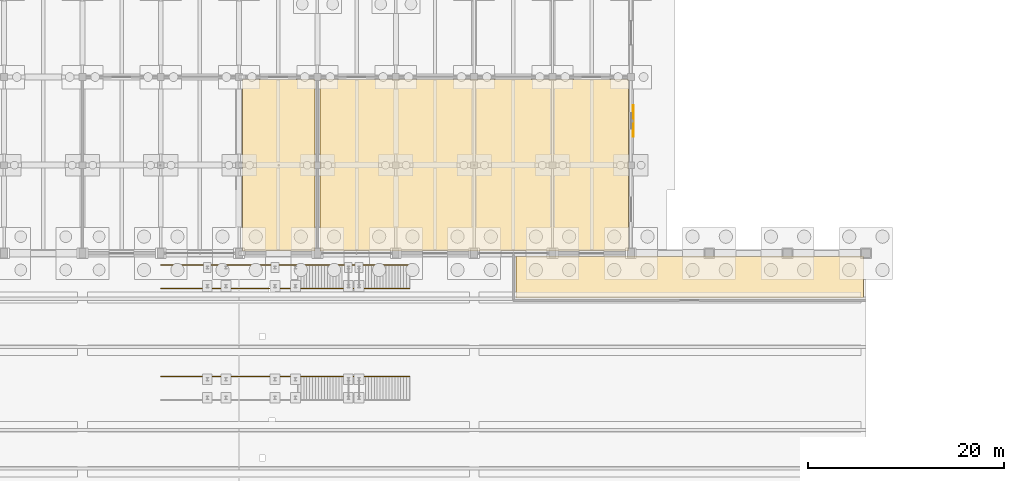
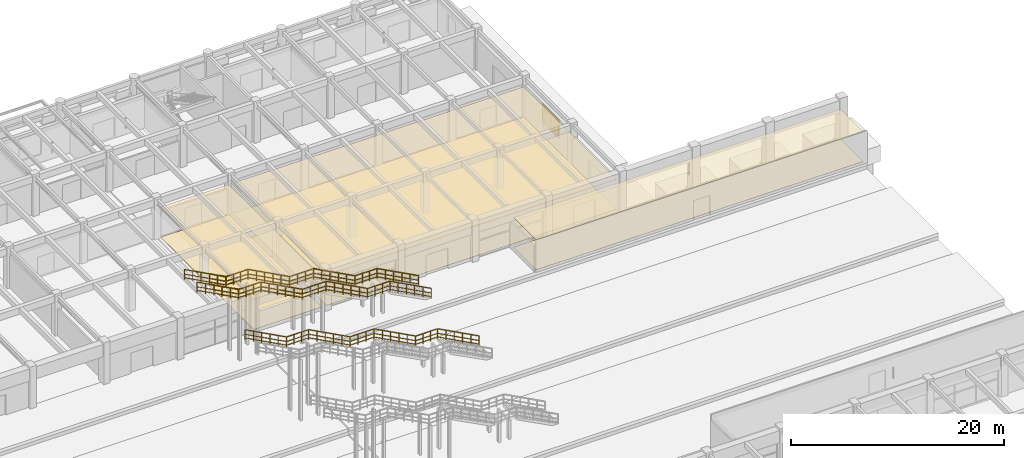
# One storey, part 144 of 147: 6 coverings, 3 railings, 1 shading device.
"""IFC4 building model written with IfcOpenShell, lengths in metres."""

from ifc_helpers import new_model, si_unit, direction, frame, origin, origin_2d, place, context, subcontext, project, spatial, polyline, rectangle, circle, outline, extrude, material, layer, layer_set, type_object, element, save


model = new_model("IFC4")

# Units and contexts
model_context = context("Model", 3, precision=1e-05, world=origin(), true_north=direction((0.0, 1.0)))
body_context = subcontext(model_context, "Body", "Model", "MODEL_VIEW")
ifc_project = project(units=[si_unit("LENGTHUNIT", "METRE"), si_unit("AREAUNIT", "SQUARE_METRE"), si_unit("VOLUMEUNIT", "CUBIC_METRE"), si_unit("PLANEANGLEUNIT", "RADIAN"), si_unit("MASSUNIT", "GRAM", prefix="KILO")], contexts=[model_context])

# Site, building, storey
site_placement = place(None, origin())
site = spatial("IfcSite", under=ifc_project, at=site_placement, CompositionType="ELEMENT")
building_placement = place(site_placement, origin())
building = spatial("IfcBuilding", under=site, at=building_placement, Name="Varnabhumi Central Station", CompositionType="ELEMENT")
storey_placement = place(building_placement, origin())
storey = spatial("IfcBuildingStorey", under=building, at=storey_placement, Name="L00", CompositionType="ELEMENT", Elevation=0.0)

# Coverings
ifc_material_1 = material(Name="Mineral-fibre acoustic tile")
ifc_layer_1 = layer(ifc_material_1, 0.02490234375, Name="Mineral-fibre acoustic tile")
ifc_layer_set_1 = layer_set([ifc_layer_1], Name="Mineral-fibre acoustic tile")
covering_type_1 = type_object("IfcCoveringType", Name="COV-CEIL-ACOUSTIC", PredefinedType="CEILING", material=ifc_layer_set_1)
covering_1_placement = place(storey_placement, frame((0.0, 0.0, 3.469970703125)))
element("IfcCovering", 1, at=covering_1_placement, inside=storey, type_object=covering_type_1, Name="Forecourt Espresso and Snack Bar Acoustic Ceiling", PredefinedType="CEILING", context=body_context, shape_type="SweptSolid", body=[
    extrude(outline(polyline([(120.35009765625, 80.25), (127.75, 80.25), (127.75, 97.75), (120.35009765625, 97.75), (120.35009765625, 80.25)])), origin(), (0.0, 0.0, 1.0), 0.025146484375),
])
covering_2_placement = place(storey_placement, frame((0.0, 0.0, 3.469970703125)))
element("IfcCovering", 2, at=covering_2_placement, inside=storey, type_object=covering_type_1, Name="Passenger Information and Community Desk Acoustic Ceiling", PredefinedType="CEILING", context=body_context, shape_type="SweptSolid", body=[
    extrude(outline(polyline([(128.25, 80.25), (159.75, 80.25), (159.75, 97.75), (128.25, 97.75), (128.25, 80.25)])), origin(), (0.0, 0.0, 1.0), 0.025146484375),
])
covering_3_placement = place(storey_placement, frame((0.0, 0.0, 3.419921875)))
element("IfcCovering", 3, at=covering_3_placement, inside=storey, type_object=covering_type_1, Name="Platform 4 Seated Waiting Shelter Acoustic Ceiling", PredefinedType="CEILING", context=body_context, shape_type="SweptSolid", body=[
    extrude(outline(polyline([(148.25, 75.449951171875), (183.75, 75.449951171875), (183.75, 79.75), (148.25, 79.75), (148.25, 75.449951171875)])), origin(), (0.0, 0.0, 1.0), 0.025146484375),
])
ifc_material_2 = material(Name="Vitrified granite stone flooring", Category="masonry")
ifc_layer_2 = layer(ifc_material_2, 0.030029296875, Name="Vitrified granite stone flooring", Category="masonry")
ifc_layer_set_2 = layer_set([ifc_layer_2], Name="Vitrified granite stone flooring")
covering_type_2 = type_object("IfcCoveringType", Name="COV-FLOR-GRANITE", PredefinedType="FLOORING", material=ifc_layer_set_2)
covering_4_placement = place(storey_placement, origin())
element("IfcCovering", 4, at=covering_4_placement, inside=storey, type_object=covering_type_2, Name="Forecourt Espresso and Snack Bar Granite Flooring", PredefinedType="FLOORING", context=body_context, shape_type="SweptSolid", body=[
    extrude(outline(polyline([(120.35009765625, 80.25), (127.75, 80.25), (127.75, 97.75), (120.35009765625, 97.75), (120.35009765625, 80.25)])), origin(), (0.0, 0.0, 1.0), 0.030029296875),
])
covering_5_placement = place(storey_placement, origin())
element("IfcCovering", 5, at=covering_5_placement, inside=storey, type_object=covering_type_2, Name="Passenger Information and Community Desk Granite Flooring", PredefinedType="FLOORING", context=body_context, shape_type="SweptSolid", body=[
    extrude(outline(polyline([(128.25, 80.25), (159.75, 80.25), (159.75, 97.75), (128.25, 97.75), (128.25, 80.25)])), origin(), (0.0, 0.0, 1.0), 0.030029296875),
])
covering_6_placement = place(storey_placement, origin())
element("IfcCovering", 6, at=covering_6_placement, inside=storey, type_object=covering_type_2, Name="Platform 4 Seated Waiting Shelter Granite Flooring", PredefinedType="FLOORING", context=body_context, shape_type="SweptSolid", body=[
    extrude(outline(polyline([(148.25, 75.449951171875), (183.75, 75.449951171875), (183.75, 79.75), (148.25, 79.75), (148.25, 75.449951171875)])), origin(), (0.0, 0.0, 1.0), 0.030029296875),
])

# Railings
ifc_material_3 = material(Name="Stainless steel Grade 316", Category="steel")
railing_type = type_object("IfcRailingType", Name="RAIL-STAIR-GRD-1150", PredefinedType="GUARDRAIL", material=ifc_material_3)
railing_1_placement = place(storey_placement, frame((137.39990234375, 67.39990234375, 0.0)))
element("IfcRailing", 7, at=railing_1_placement, inside=storey, type_object=railing_type, Name="Platform 3 Concourse Stair Guard N", PredefinedType="GUARDRAIL", context=body_context, shape_type="SweptSolid", body=[
    extrude(circle(Radius=0.02392578125, at=origin_2d()), frame((0.0, 0.0, 1.1259765625), z_axis=(-0.882360891967, 0.0, 0.470573327259), x_axis=(0.0, -1.0, 0.0)), (0.0, 0.0, 1.0), 5.099853515625),
    extrude(circle(Radius=0.01416015625, at=origin_2d()), frame((0.0, 0.0, 0.597900390625), z_axis=(-0.882360891967, 0.0, 0.470573327259), x_axis=(0.0, -1.0, 0.0)), (0.0, 0.0, 1.0), 5.099853515625),
    extrude(circle(Radius=0.01416015625, at=origin_2d()), frame((0.0, 0.0, 0.18408203125), z_axis=(-0.882360891967, 0.0, 0.470573327259), x_axis=(0.0, -1.0, 0.0)), (0.0, 0.0, 1.0), 5.099853515625),
    extrude(circle(Radius=0.02392578125, at=origin_2d()), frame((-4.5, 0.0, 3.52587890625), z_axis=(-1.0, 0.0, 0.0), x_axis=(0.0, -1.0, 0.0)), (0.0, 0.0, 1.0), 2.39990234375),
    extrude(circle(Radius=0.01416015625, at=origin_2d()), frame((-4.5, 0.0, 2.997802734375), z_axis=(-1.0, 0.0, 0.0), x_axis=(0.0, -1.0, 0.0)), (0.0, 0.0, 1.0), 2.39990234375),
    extrude(circle(Radius=0.01416015625, at=origin_2d()), frame((-4.5, 0.0, 2.583984375), z_axis=(-1.0, 0.0, 0.0), x_axis=(0.0, -1.0, 0.0)), (0.0, 0.0, 1.0), 2.39990234375),
    extrude(circle(Radius=0.02392578125, at=origin_2d()), frame((-6.89990234375, 0.0, 3.52587890625), z_axis=(-0.882341014787, 0.0, 0.470610596591), x_axis=(0.0, -1.0, 0.0)), (0.0, 0.0, 1.0), 5.10009765625),
    extrude(circle(Radius=0.01416015625, at=origin_2d()), frame((-6.89990234375, 0.0, 2.997802734375), z_axis=(-0.882341014787, 0.0, 0.470610596591), x_axis=(0.0, -1.0, 0.0)), (0.0, 0.0, 1.0), 5.10009765625),
    extrude(circle(Radius=0.01416015625, at=origin_2d()), frame((-6.89990234375, 0.0, 2.583984375), z_axis=(-0.882341014787, 0.0, 0.470610596591), x_axis=(0.0, -1.0, 0.0)), (0.0, 0.0, 1.0), 5.10009765625),
    extrude(circle(Radius=0.02392578125, at=origin_2d()), frame((-11.39990234375, 0.0, 5.92578125), z_axis=(-1.0, 0.0, 0.0), x_axis=(0.0, -1.0, 0.0)), (0.0, 0.0, 1.0), 2.60009765625),
    extrude(circle(Radius=0.01416015625, at=origin_2d()), frame((-11.39990234375, 0.0, 5.39794921875), z_axis=(-1.0, 0.0, 0.0), x_axis=(0.0, -1.0, 0.0)), (0.0, 0.0, 1.0), 2.60009765625),
    extrude(circle(Radius=0.01416015625, at=origin_2d()), frame((-11.39990234375, 0.0, 4.984130859375), z_axis=(-1.0, 0.0, 0.0), x_axis=(0.0, -1.0, 0.0)), (0.0, 0.0, 1.0), 2.60009765625),
    extrude(circle(Radius=0.02392578125, at=origin_2d()), frame((-14.0, 0.0, 5.92578125), z_axis=(-0.882360891967, 0.0, 0.470573327259), x_axis=(0.0, -1.0, 0.0)), (0.0, 0.0, 1.0), 5.099853515625),
    extrude(circle(Radius=0.01416015625, at=origin_2d()), frame((-14.0, 0.0, 5.39794921875), z_axis=(-0.882360891967, 0.0, 0.470573327259), x_axis=(0.0, -1.0, 0.0)), (0.0, 0.0, 1.0), 5.099853515625),
    extrude(circle(Radius=0.01416015625, at=origin_2d()), frame((-14.0, 0.0, 4.984130859375), z_axis=(-0.882360891967, 0.0, 0.470573327259), x_axis=(0.0, -1.0, 0.0)), (0.0, 0.0, 1.0), 5.099853515625),
    extrude(circle(Radius=0.02392578125, at=origin_2d()), frame((-18.5, 0.0, 8.32568359375), z_axis=(-1.0, 0.0, 0.0), x_axis=(0.0, -1.0, 0.0)), (0.0, 0.0, 1.0), 2.39990234375),
    extrude(circle(Radius=0.01416015625, at=origin_2d()), frame((-18.5, 0.0, 7.7978515625), z_axis=(-1.0, 0.0, 0.0), x_axis=(0.0, -1.0, 0.0)), (0.0, 0.0, 1.0), 2.39990234375),
    extrude(circle(Radius=0.01416015625, at=origin_2d()), frame((-18.5, 0.0, 7.384033203125), z_axis=(-1.0, 0.0, 0.0), x_axis=(0.0, -1.0, 0.0)), (0.0, 0.0, 1.0), 2.39990234375),
    extrude(circle(Radius=0.02392578125, at=origin_2d()), frame((-20.89990234375, 0.0, 8.32568359375), z_axis=(-0.882341014787, 0.0, 0.470610596591), x_axis=(0.0, -1.0, 0.0)), (0.0, 0.0, 1.0), 5.10009765625),
    extrude(circle(Radius=0.01416015625, at=origin_2d()), frame((-20.89990234375, 0.0, 7.7978515625), z_axis=(-0.882341014787, 0.0, 0.470610596591), x_axis=(0.0, -1.0, 0.0)), (0.0, 0.0, 1.0), 5.10009765625),
    extrude(circle(Radius=0.01416015625, at=origin_2d()), frame((-20.89990234375, 0.0, 7.384033203125), z_axis=(-0.882341014787, 0.0, 0.470610596591), x_axis=(0.0, -1.0, 0.0)), (0.0, 0.0, 1.0), 5.10009765625),
    extrude(circle(Radius=0.02099609375, at=origin_2d()), origin(), (0.0, 0.0, 1.0), 1.101806640625),
    extrude(circle(Radius=0.02099609375, at=origin_2d()), frame((-0.89990234375, 0.0, 0.47998046875)), (0.0, 0.0, 1.0), 1.101806640625),
    extrude(circle(Radius=0.02099609375, at=origin_2d()), frame((-1.800048828125, 0.0, 0.9599609375)), (0.0, 0.0, 1.0), 1.101806640625),
    extrude(circle(Radius=0.02099609375, at=origin_2d()), frame((-2.699951171875, 0.0, 1.43994140625)), (0.0, 0.0, 1.0), 1.101806640625),
    extrude(circle(Radius=0.02099609375, at=origin_2d()), frame((-3.60009765625, 0.0, 1.919921875)), (0.0, 0.0, 1.0), 1.101806640625),
    extrude(circle(Radius=0.02099609375, at=origin_2d()), frame((-4.5, 0.0, 2.39990234375)), (0.0, 0.0, 1.0), 1.101806640625),
    extrude(circle(Radius=0.02099609375, at=origin_2d()), frame((-5.300048828125, 0.0, 2.39990234375)), (0.0, 0.0, 1.0), 1.101806640625),
    extrude(circle(Radius=0.02099609375, at=origin_2d()), frame((-6.099853515625, 0.0, 2.39990234375)), (0.0, 0.0, 1.0), 1.101806640625),
    extrude(circle(Radius=0.02099609375, at=origin_2d()), frame((-6.89990234375, 0.0, 2.39990234375)), (0.0, 0.0, 1.0), 1.101806640625),
    extrude(circle(Radius=0.02099609375, at=origin_2d()), frame((-7.7998046875, 0.0, 2.8798828125)), (0.0, 0.0, 1.0), 1.101806640625),
    extrude(circle(Radius=0.02099609375, at=origin_2d()), frame((-8.699951171875, 0.0, 3.35986328125)), (0.0, 0.0, 1.0), 1.101806640625),
    extrude(circle(Radius=0.02099609375, at=origin_2d()), frame((-9.599853515625, 0.0, 3.840087890625)), (0.0, 0.0, 1.0), 1.101806640625),
    extrude(circle(Radius=0.02099609375, at=origin_2d()), frame((-10.5, 0.0, 4.320068359375)), (0.0, 0.0, 1.0), 1.101806640625),
    extrude(circle(Radius=0.02099609375, at=origin_2d()), frame((-11.39990234375, 0.0, 4.800048828125)), (0.0, 0.0, 1.0), 1.101806640625),
    extrude(circle(Radius=0.02099609375, at=origin_2d()), frame((-12.2666015625, 0.0, 4.800048828125)), (0.0, 0.0, 1.0), 1.101806640625),
    extrude(circle(Radius=0.02099609375, at=origin_2d()), frame((-13.13330078125, 0.0, 4.800048828125)), (0.0, 0.0, 1.0), 1.101806640625),
    extrude(circle(Radius=0.02099609375, at=origin_2d()), frame((-14.0, 0.0, 4.800048828125)), (0.0, 0.0, 1.0), 1.101806640625),
    extrude(circle(Radius=0.02099609375, at=origin_2d()), frame((-14.89990234375, 0.0, 5.280029296875)), (0.0, 0.0, 1.0), 1.101806640625),
    extrude(circle(Radius=0.02099609375, at=origin_2d()), frame((-15.800048828125, 0.0, 5.760009765625)), (0.0, 0.0, 1.0), 1.101806640625),
    extrude(circle(Radius=0.02099609375, at=origin_2d()), frame((-16.699951171875, 0.0, 6.239990234375)), (0.0, 0.0, 1.0), 1.101806640625),
    extrude(circle(Radius=0.02099609375, at=origin_2d()), frame((-17.60009765625, 0.0, 6.719970703125)), (0.0, 0.0, 1.0), 1.101806640625),
    extrude(circle(Radius=0.02099609375, at=origin_2d()), frame((-18.5, 0.0, 7.199951171875)), (0.0, 0.0, 1.0), 1.101806640625),
    extrude(circle(Radius=0.02099609375, at=origin_2d()), frame((-19.300048828125, 0.0, 7.199951171875)), (0.0, 0.0, 1.0), 1.101806640625),
    extrude(circle(Radius=0.02099609375, at=origin_2d()), frame((-20.099853515625, 0.0, 7.199951171875)), (0.0, 0.0, 1.0), 1.101806640625),
    extrude(circle(Radius=0.02099609375, at=origin_2d()), frame((-20.89990234375, 0.0, 7.199951171875)), (0.0, 0.0, 1.0), 1.101806640625),
    extrude(circle(Radius=0.02099609375, at=origin_2d()), frame((-21.7998046875, 0.0, 7.679931640625)), (0.0, 0.0, 1.0), 1.101806640625),
    extrude(circle(Radius=0.02099609375, at=origin_2d()), frame((-22.699951171875, 0.0, 8.159912109375)), (0.0, 0.0, 1.0), 1.101806640625),
    extrude(circle(Radius=0.02099609375, at=origin_2d()), frame((-23.599853515625, 0.0, 8.64013671875)), (0.0, 0.0, 1.0), 1.101806640625),
    extrude(circle(Radius=0.02099609375, at=origin_2d()), frame((-24.5, 0.0, 9.1201171875)), (0.0, 0.0, 1.0), 1.101806640625),
    extrude(circle(Radius=0.02099609375, at=origin_2d()), frame((-25.39990234375, 0.0, 9.60009765625)), (0.0, 0.0, 1.0), 1.101806640625),
])
railing_2_placement = place(storey_placement, frame((137.39990234375, 76.39990234375, 0.0)))
element("IfcRailing", 8, at=railing_2_placement, inside=storey, type_object=railing_type, Name="Platform 4 Concourse Stair Guard S", PredefinedType="GUARDRAIL", context=body_context, shape_type="SweptSolid", body=[
    extrude(circle(Radius=0.02392578125, at=origin_2d()), frame((0.0, 0.0, 1.1259765625), z_axis=(-0.882360891967, 0.0, 0.470573327259), x_axis=(0.0, -1.0, 0.0)), (0.0, 0.0, 1.0), 5.099853515625),
    extrude(circle(Radius=0.01416015625, at=origin_2d()), frame((0.0, 0.0, 0.597900390625), z_axis=(-0.882360891967, 0.0, 0.470573327259), x_axis=(0.0, -1.0, 0.0)), (0.0, 0.0, 1.0), 5.099853515625),
    extrude(circle(Radius=0.01416015625, at=origin_2d()), frame((0.0, 0.0, 0.18408203125), z_axis=(-0.882360891967, 0.0, 0.470573327259), x_axis=(0.0, -1.0, 0.0)), (0.0, 0.0, 1.0), 5.099853515625),
    extrude(circle(Radius=0.02392578125, at=origin_2d()), frame((-4.5, 0.0, 3.52587890625), z_axis=(-1.0, 0.0, 0.0), x_axis=(0.0, -1.0, 0.0)), (0.0, 0.0, 1.0), 2.39990234375),
    extrude(circle(Radius=0.01416015625, at=origin_2d()), frame((-4.5, 0.0, 2.997802734375), z_axis=(-1.0, 0.0, 0.0), x_axis=(0.0, -1.0, 0.0)), (0.0, 0.0, 1.0), 2.39990234375),
    extrude(circle(Radius=0.01416015625, at=origin_2d()), frame((-4.5, 0.0, 2.583984375), z_axis=(-1.0, 0.0, 0.0), x_axis=(0.0, -1.0, 0.0)), (0.0, 0.0, 1.0), 2.39990234375),
    extrude(circle(Radius=0.02392578125, at=origin_2d()), frame((-6.89990234375, 0.0, 3.52587890625), z_axis=(-0.882341014787, 0.0, 0.470610596591), x_axis=(0.0, -1.0, 0.0)), (0.0, 0.0, 1.0), 5.10009765625),
    extrude(circle(Radius=0.01416015625, at=origin_2d()), frame((-6.89990234375, 0.0, 2.997802734375), z_axis=(-0.882341014787, 0.0, 0.470610596591), x_axis=(0.0, -1.0, 0.0)), (0.0, 0.0, 1.0), 5.10009765625),
    extrude(circle(Radius=0.01416015625, at=origin_2d()), frame((-6.89990234375, 0.0, 2.583984375), z_axis=(-0.882341014787, 0.0, 0.470610596591), x_axis=(0.0, -1.0, 0.0)), (0.0, 0.0, 1.0), 5.10009765625),
    extrude(circle(Radius=0.02392578125, at=origin_2d()), frame((-11.39990234375, 0.0, 5.92578125), z_axis=(-1.0, 0.0, 0.0), x_axis=(0.0, -1.0, 0.0)), (0.0, 0.0, 1.0), 2.60009765625),
    extrude(circle(Radius=0.01416015625, at=origin_2d()), frame((-11.39990234375, 0.0, 5.39794921875), z_axis=(-1.0, 0.0, 0.0), x_axis=(0.0, -1.0, 0.0)), (0.0, 0.0, 1.0), 2.60009765625),
    extrude(circle(Radius=0.01416015625, at=origin_2d()), frame((-11.39990234375, 0.0, 4.984130859375), z_axis=(-1.0, 0.0, 0.0), x_axis=(0.0, -1.0, 0.0)), (0.0, 0.0, 1.0), 2.60009765625),
    extrude(circle(Radius=0.02392578125, at=origin_2d()), frame((-14.0, 0.0, 5.92578125), z_axis=(-0.882360891967, 0.0, 0.470573327259), x_axis=(0.0, -1.0, 0.0)), (0.0, 0.0, 1.0), 5.099853515625),
    extrude(circle(Radius=0.01416015625, at=origin_2d()), frame((-14.0, 0.0, 5.39794921875), z_axis=(-0.882360891967, 0.0, 0.470573327259), x_axis=(0.0, -1.0, 0.0)), (0.0, 0.0, 1.0), 5.099853515625),
    extrude(circle(Radius=0.01416015625, at=origin_2d()), frame((-14.0, 0.0, 4.984130859375), z_axis=(-0.882360891967, 0.0, 0.470573327259), x_axis=(0.0, -1.0, 0.0)), (0.0, 0.0, 1.0), 5.099853515625),
    extrude(circle(Radius=0.02392578125, at=origin_2d()), frame((-18.5, 0.0, 8.32568359375), z_axis=(-1.0, 0.0, 0.0), x_axis=(0.0, -1.0, 0.0)), (0.0, 0.0, 1.0), 2.39990234375),
    extrude(circle(Radius=0.01416015625, at=origin_2d()), frame((-18.5, 0.0, 7.7978515625), z_axis=(-1.0, 0.0, 0.0), x_axis=(0.0, -1.0, 0.0)), (0.0, 0.0, 1.0), 2.39990234375),
    extrude(circle(Radius=0.01416015625, at=origin_2d()), frame((-18.5, 0.0, 7.384033203125), z_axis=(-1.0, 0.0, 0.0), x_axis=(0.0, -1.0, 0.0)), (0.0, 0.0, 1.0), 2.39990234375),
    extrude(circle(Radius=0.02392578125, at=origin_2d()), frame((-20.89990234375, 0.0, 8.32568359375), z_axis=(-0.882341014787, 0.0, 0.470610596591), x_axis=(0.0, -1.0, 0.0)), (0.0, 0.0, 1.0), 5.10009765625),
    extrude(circle(Radius=0.01416015625, at=origin_2d()), frame((-20.89990234375, 0.0, 7.7978515625), z_axis=(-0.882341014787, 0.0, 0.470610596591), x_axis=(0.0, -1.0, 0.0)), (0.0, 0.0, 1.0), 5.10009765625),
    extrude(circle(Radius=0.01416015625, at=origin_2d()), frame((-20.89990234375, 0.0, 7.384033203125), z_axis=(-0.882341014787, 0.0, 0.470610596591), x_axis=(0.0, -1.0, 0.0)), (0.0, 0.0, 1.0), 5.10009765625),
    extrude(circle(Radius=0.02099609375, at=origin_2d()), origin(), (0.0, 0.0, 1.0), 1.101806640625),
    extrude(circle(Radius=0.02099609375, at=origin_2d()), frame((-0.89990234375, 0.0, 0.47998046875)), (0.0, 0.0, 1.0), 1.101806640625),
    extrude(circle(Radius=0.02099609375, at=origin_2d()), frame((-1.800048828125, 0.0, 0.9599609375)), (0.0, 0.0, 1.0), 1.101806640625),
    extrude(circle(Radius=0.02099609375, at=origin_2d()), frame((-2.699951171875, 0.0, 1.43994140625)), (0.0, 0.0, 1.0), 1.101806640625),
    extrude(circle(Radius=0.02099609375, at=origin_2d()), frame((-3.60009765625, 0.0, 1.919921875)), (0.0, 0.0, 1.0), 1.101806640625),
    extrude(circle(Radius=0.02099609375, at=origin_2d()), frame((-4.5, 0.0, 2.39990234375)), (0.0, 0.0, 1.0), 1.101806640625),
    extrude(circle(Radius=0.02099609375, at=origin_2d()), frame((-5.300048828125, 0.0, 2.39990234375)), (0.0, 0.0, 1.0), 1.101806640625),
    extrude(circle(Radius=0.02099609375, at=origin_2d()), frame((-6.099853515625, 0.0, 2.39990234375)), (0.0, 0.0, 1.0), 1.101806640625),
    extrude(circle(Radius=0.02099609375, at=origin_2d()), frame((-6.89990234375, 0.0, 2.39990234375)), (0.0, 0.0, 1.0), 1.101806640625),
    extrude(circle(Radius=0.02099609375, at=origin_2d()), frame((-7.7998046875, 0.0, 2.8798828125)), (0.0, 0.0, 1.0), 1.101806640625),
    extrude(circle(Radius=0.02099609375, at=origin_2d()), frame((-8.699951171875, 0.0, 3.35986328125)), (0.0, 0.0, 1.0), 1.101806640625),
    extrude(circle(Radius=0.02099609375, at=origin_2d()), frame((-9.599853515625, 0.0, 3.840087890625)), (0.0, 0.0, 1.0), 1.101806640625),
    extrude(circle(Radius=0.02099609375, at=origin_2d()), frame((-10.5, 0.0, 4.320068359375)), (0.0, 0.0, 1.0), 1.101806640625),
    extrude(circle(Radius=0.02099609375, at=origin_2d()), frame((-11.39990234375, 0.0, 4.800048828125)), (0.0, 0.0, 1.0), 1.101806640625),
    extrude(circle(Radius=0.02099609375, at=origin_2d()), frame((-12.2666015625, 0.0, 4.800048828125)), (0.0, 0.0, 1.0), 1.101806640625),
    extrude(circle(Radius=0.02099609375, at=origin_2d()), frame((-13.13330078125, 0.0, 4.800048828125)), (0.0, 0.0, 1.0), 1.101806640625),
    extrude(circle(Radius=0.02099609375, at=origin_2d()), frame((-14.0, 0.0, 4.800048828125)), (0.0, 0.0, 1.0), 1.101806640625),
    extrude(circle(Radius=0.02099609375, at=origin_2d()), frame((-14.89990234375, 0.0, 5.280029296875)), (0.0, 0.0, 1.0), 1.101806640625),
    extrude(circle(Radius=0.02099609375, at=origin_2d()), frame((-15.800048828125, 0.0, 5.760009765625)), (0.0, 0.0, 1.0), 1.101806640625),
    extrude(circle(Radius=0.02099609375, at=origin_2d()), frame((-16.699951171875, 0.0, 6.239990234375)), (0.0, 0.0, 1.0), 1.101806640625),
    extrude(circle(Radius=0.02099609375, at=origin_2d()), frame((-17.60009765625, 0.0, 6.719970703125)), (0.0, 0.0, 1.0), 1.101806640625),
    extrude(circle(Radius=0.02099609375, at=origin_2d()), frame((-18.5, 0.0, 7.199951171875)), (0.0, 0.0, 1.0), 1.101806640625),
    extrude(circle(Radius=0.02099609375, at=origin_2d()), frame((-19.300048828125, 0.0, 7.199951171875)), (0.0, 0.0, 1.0), 1.101806640625),
    extrude(circle(Radius=0.02099609375, at=origin_2d()), frame((-20.099853515625, 0.0, 7.199951171875)), (0.0, 0.0, 1.0), 1.101806640625),
    extrude(circle(Radius=0.02099609375, at=origin_2d()), frame((-20.89990234375, 0.0, 7.199951171875)), (0.0, 0.0, 1.0), 1.101806640625),
    extrude(circle(Radius=0.02099609375, at=origin_2d()), frame((-21.7998046875, 0.0, 7.679931640625)), (0.0, 0.0, 1.0), 1.101806640625),
    extrude(circle(Radius=0.02099609375, at=origin_2d()), frame((-22.699951171875, 0.0, 8.159912109375)), (0.0, 0.0, 1.0), 1.101806640625),
    extrude(circle(Radius=0.02099609375, at=origin_2d()), frame((-23.599853515625, 0.0, 8.64013671875)), (0.0, 0.0, 1.0), 1.101806640625),
    extrude(circle(Radius=0.02099609375, at=origin_2d()), frame((-24.5, 0.0, 9.1201171875)), (0.0, 0.0, 1.0), 1.101806640625),
    extrude(circle(Radius=0.02099609375, at=origin_2d()), frame((-25.39990234375, 0.0, 9.60009765625)), (0.0, 0.0, 1.0), 1.101806640625),
])
railing_3_placement = place(storey_placement, frame((137.39990234375, 78.800048828125, 0.0)))
element("IfcRailing", 9, at=railing_3_placement, inside=storey, type_object=railing_type, Name="Platform 4 Concourse Stair Guard N", PredefinedType="GUARDRAIL", context=body_context, shape_type="SweptSolid", body=[
    extrude(circle(Radius=0.02392578125, at=origin_2d()), frame((0.0, 0.0, 1.1259765625), z_axis=(-0.882360891967, 0.0, 0.470573327259), x_axis=(0.0, -1.0, 0.0)), (0.0, 0.0, 1.0), 5.099853515625),
    extrude(circle(Radius=0.01416015625, at=origin_2d()), frame((0.0, 0.0, 0.597900390625), z_axis=(-0.882360891967, 0.0, 0.470573327259), x_axis=(0.0, -1.0, 0.0)), (0.0, 0.0, 1.0), 5.099853515625),
    extrude(circle(Radius=0.01416015625, at=origin_2d()), frame((0.0, 0.0, 0.18408203125), z_axis=(-0.882360891967, 0.0, 0.470573327259), x_axis=(0.0, -1.0, 0.0)), (0.0, 0.0, 1.0), 5.099853515625),
    extrude(circle(Radius=0.02392578125, at=origin_2d()), frame((-4.5, 0.0, 3.52587890625), z_axis=(-1.0, 0.0, 0.0), x_axis=(0.0, -1.0, 0.0)), (0.0, 0.0, 1.0), 2.39990234375),
    extrude(circle(Radius=0.01416015625, at=origin_2d()), frame((-4.5, 0.0, 2.997802734375), z_axis=(-1.0, 0.0, 0.0), x_axis=(0.0, -1.0, 0.0)), (0.0, 0.0, 1.0), 2.39990234375),
    extrude(circle(Radius=0.01416015625, at=origin_2d()), frame((-4.5, 0.0, 2.583984375), z_axis=(-1.0, 0.0, 0.0), x_axis=(0.0, -1.0, 0.0)), (0.0, 0.0, 1.0), 2.39990234375),
    extrude(circle(Radius=0.02392578125, at=origin_2d()), frame((-6.89990234375, 0.0, 3.52587890625), z_axis=(-0.882341014787, 0.0, 0.470610596591), x_axis=(0.0, -1.0, 0.0)), (0.0, 0.0, 1.0), 5.10009765625),
    extrude(circle(Radius=0.01416015625, at=origin_2d()), frame((-6.89990234375, 0.0, 2.997802734375), z_axis=(-0.882341014787, 0.0, 0.470610596591), x_axis=(0.0, -1.0, 0.0)), (0.0, 0.0, 1.0), 5.10009765625),
    extrude(circle(Radius=0.01416015625, at=origin_2d()), frame((-6.89990234375, 0.0, 2.583984375), z_axis=(-0.882341014787, 0.0, 0.470610596591), x_axis=(0.0, -1.0, 0.0)), (0.0, 0.0, 1.0), 5.10009765625),
    extrude(circle(Radius=0.02392578125, at=origin_2d()), frame((-11.39990234375, 0.0, 5.92578125), z_axis=(-1.0, 0.0, 0.0), x_axis=(0.0, -1.0, 0.0)), (0.0, 0.0, 1.0), 2.60009765625),
    extrude(circle(Radius=0.01416015625, at=origin_2d()), frame((-11.39990234375, 0.0, 5.39794921875), z_axis=(-1.0, 0.0, 0.0), x_axis=(0.0, -1.0, 0.0)), (0.0, 0.0, 1.0), 2.60009765625),
    extrude(circle(Radius=0.01416015625, at=origin_2d()), frame((-11.39990234375, 0.0, 4.984130859375), z_axis=(-1.0, 0.0, 0.0), x_axis=(0.0, -1.0, 0.0)), (0.0, 0.0, 1.0), 2.60009765625),
    extrude(circle(Radius=0.02392578125, at=origin_2d()), frame((-14.0, 0.0, 5.92578125), z_axis=(-0.882360891967, 0.0, 0.470573327259), x_axis=(0.0, -1.0, 0.0)), (0.0, 0.0, 1.0), 5.099853515625),
    extrude(circle(Radius=0.01416015625, at=origin_2d()), frame((-14.0, 0.0, 5.39794921875), z_axis=(-0.882360891967, 0.0, 0.470573327259), x_axis=(0.0, -1.0, 0.0)), (0.0, 0.0, 1.0), 5.099853515625),
    extrude(circle(Radius=0.01416015625, at=origin_2d()), frame((-14.0, 0.0, 4.984130859375), z_axis=(-0.882360891967, 0.0, 0.470573327259), x_axis=(0.0, -1.0, 0.0)), (0.0, 0.0, 1.0), 5.099853515625),
    extrude(circle(Radius=0.02392578125, at=origin_2d()), frame((-18.5, 0.0, 8.32568359375), z_axis=(-1.0, 0.0, 0.0), x_axis=(0.0, -1.0, 0.0)), (0.0, 0.0, 1.0), 2.39990234375),
    extrude(circle(Radius=0.01416015625, at=origin_2d()), frame((-18.5, 0.0, 7.7978515625), z_axis=(-1.0, 0.0, 0.0), x_axis=(0.0, -1.0, 0.0)), (0.0, 0.0, 1.0), 2.39990234375),
    extrude(circle(Radius=0.01416015625, at=origin_2d()), frame((-18.5, 0.0, 7.384033203125), z_axis=(-1.0, 0.0, 0.0), x_axis=(0.0, -1.0, 0.0)), (0.0, 0.0, 1.0), 2.39990234375),
    extrude(circle(Radius=0.02392578125, at=origin_2d()), frame((-20.89990234375, 0.0, 8.32568359375), z_axis=(-0.882341014787, 0.0, 0.470610596591), x_axis=(0.0, -1.0, 0.0)), (0.0, 0.0, 1.0), 5.10009765625),
    extrude(circle(Radius=0.01416015625, at=origin_2d()), frame((-20.89990234375, 0.0, 7.7978515625), z_axis=(-0.882341014787, 0.0, 0.470610596591), x_axis=(0.0, -1.0, 0.0)), (0.0, 0.0, 1.0), 5.10009765625),
    extrude(circle(Radius=0.01416015625, at=origin_2d()), frame((-20.89990234375, 0.0, 7.384033203125), z_axis=(-0.882341014787, 0.0, 0.470610596591), x_axis=(0.0, -1.0, 0.0)), (0.0, 0.0, 1.0), 5.10009765625),
    extrude(circle(Radius=0.02099609375, at=origin_2d()), origin(), (0.0, 0.0, 1.0), 1.101806640625),
    extrude(circle(Radius=0.02099609375, at=origin_2d()), frame((-0.89990234375, 0.0, 0.47998046875)), (0.0, 0.0, 1.0), 1.101806640625),
    extrude(circle(Radius=0.02099609375, at=origin_2d()), frame((-1.800048828125, 0.0, 0.9599609375)), (0.0, 0.0, 1.0), 1.101806640625),
    extrude(circle(Radius=0.02099609375, at=origin_2d()), frame((-2.699951171875, 0.0, 1.43994140625)), (0.0, 0.0, 1.0), 1.101806640625),
    extrude(circle(Radius=0.02099609375, at=origin_2d()), frame((-3.60009765625, 0.0, 1.919921875)), (0.0, 0.0, 1.0), 1.101806640625),
    extrude(circle(Radius=0.02099609375, at=origin_2d()), frame((-4.5, 0.0, 2.39990234375)), (0.0, 0.0, 1.0), 1.101806640625),
    extrude(circle(Radius=0.02099609375, at=origin_2d()), frame((-5.300048828125, 0.0, 2.39990234375)), (0.0, 0.0, 1.0), 1.101806640625),
    extrude(circle(Radius=0.02099609375, at=origin_2d()), frame((-6.099853515625, 0.0, 2.39990234375)), (0.0, 0.0, 1.0), 1.101806640625),
    extrude(circle(Radius=0.02099609375, at=origin_2d()), frame((-6.89990234375, 0.0, 2.39990234375)), (0.0, 0.0, 1.0), 1.101806640625),
    extrude(circle(Radius=0.02099609375, at=origin_2d()), frame((-7.7998046875, 0.0, 2.8798828125)), (0.0, 0.0, 1.0), 1.101806640625),
    extrude(circle(Radius=0.02099609375, at=origin_2d()), frame((-8.699951171875, 0.0, 3.35986328125)), (0.0, 0.0, 1.0), 1.101806640625),
    extrude(circle(Radius=0.02099609375, at=origin_2d()), frame((-9.599853515625, 0.0, 3.840087890625)), (0.0, 0.0, 1.0), 1.101806640625),
    extrude(circle(Radius=0.02099609375, at=origin_2d()), frame((-10.5, 0.0, 4.320068359375)), (0.0, 0.0, 1.0), 1.101806640625),
    extrude(circle(Radius=0.02099609375, at=origin_2d()), frame((-11.39990234375, 0.0, 4.800048828125)), (0.0, 0.0, 1.0), 1.101806640625),
    extrude(circle(Radius=0.02099609375, at=origin_2d()), frame((-12.2666015625, 0.0, 4.800048828125)), (0.0, 0.0, 1.0), 1.101806640625),
    extrude(circle(Radius=0.02099609375, at=origin_2d()), frame((-13.13330078125, 0.0, 4.800048828125)), (0.0, 0.0, 1.0), 1.101806640625),
    extrude(circle(Radius=0.02099609375, at=origin_2d()), frame((-14.0, 0.0, 4.800048828125)), (0.0, 0.0, 1.0), 1.101806640625),
    extrude(circle(Radius=0.02099609375, at=origin_2d()), frame((-14.89990234375, 0.0, 5.280029296875)), (0.0, 0.0, 1.0), 1.101806640625),
    extrude(circle(Radius=0.02099609375, at=origin_2d()), frame((-15.800048828125, 0.0, 5.760009765625)), (0.0, 0.0, 1.0), 1.101806640625),
    extrude(circle(Radius=0.02099609375, at=origin_2d()), frame((-16.699951171875, 0.0, 6.239990234375)), (0.0, 0.0, 1.0), 1.101806640625),
    extrude(circle(Radius=0.02099609375, at=origin_2d()), frame((-17.60009765625, 0.0, 6.719970703125)), (0.0, 0.0, 1.0), 1.101806640625),
    extrude(circle(Radius=0.02099609375, at=origin_2d()), frame((-18.5, 0.0, 7.199951171875)), (0.0, 0.0, 1.0), 1.101806640625),
    extrude(circle(Radius=0.02099609375, at=origin_2d()), frame((-19.300048828125, 0.0, 7.199951171875)), (0.0, 0.0, 1.0), 1.101806640625),
    extrude(circle(Radius=0.02099609375, at=origin_2d()), frame((-20.099853515625, 0.0, 7.199951171875)), (0.0, 0.0, 1.0), 1.101806640625),
    extrude(circle(Radius=0.02099609375, at=origin_2d()), frame((-20.89990234375, 0.0, 7.199951171875)), (0.0, 0.0, 1.0), 1.101806640625),
    extrude(circle(Radius=0.02099609375, at=origin_2d()), frame((-21.7998046875, 0.0, 7.679931640625)), (0.0, 0.0, 1.0), 1.101806640625),
    extrude(circle(Radius=0.02099609375, at=origin_2d()), frame((-22.699951171875, 0.0, 8.159912109375)), (0.0, 0.0, 1.0), 1.101806640625),
    extrude(circle(Radius=0.02099609375, at=origin_2d()), frame((-23.599853515625, 0.0, 8.64013671875)), (0.0, 0.0, 1.0), 1.101806640625),
    extrude(circle(Radius=0.02099609375, at=origin_2d()), frame((-24.5, 0.0, 9.1201171875)), (0.0, 0.0, 1.0), 1.101806640625),
    extrude(circle(Radius=0.02099609375, at=origin_2d()), frame((-25.39990234375, 0.0, 9.60009765625)), (0.0, 0.0, 1.0), 1.101806640625),
])

# Shading device
ifc_material_4 = material(Name="Terracotta clay Mission barrel tile", Category="masonry")
ifc_layer_3 = layer(ifc_material_4, 0.080078125, Name="Terracotta clay Mission barrel tile", Category="masonry")
ifc_layer_set_3 = layer_set([ifc_layer_3], Name="Terracotta clay Mission barrel tile")
shading_device_type = type_object("IfcShadingDeviceType", Name="SHD-CELOSIA-JALI", PredefinedType="JALOUSIE", material=ifc_layer_set_3)
shading_device_placement = place(storey_placement, frame((160.239990234375, 93.5, 0.85009765625), z_axis=(0.0, 0.0, 1.0), x_axis=(1.0, 0.0, 0.0)))
element("IfcShadingDevice", 10, at=shading_device_placement, inside=storey, type_object=shading_device_type, Name="Terracotta Celosia Screen N-L00-W2", PredefinedType="JALOUSIE", context=body_context, shape_type="SweptSolid", body=[
    extrude(rectangle(XDim=0.080078125, YDim=3.199951171875, at=origin_2d()), origin(), (0.0, 0.0, 1.0), 2.199951171875),
])

save(model, "model.ifc")
